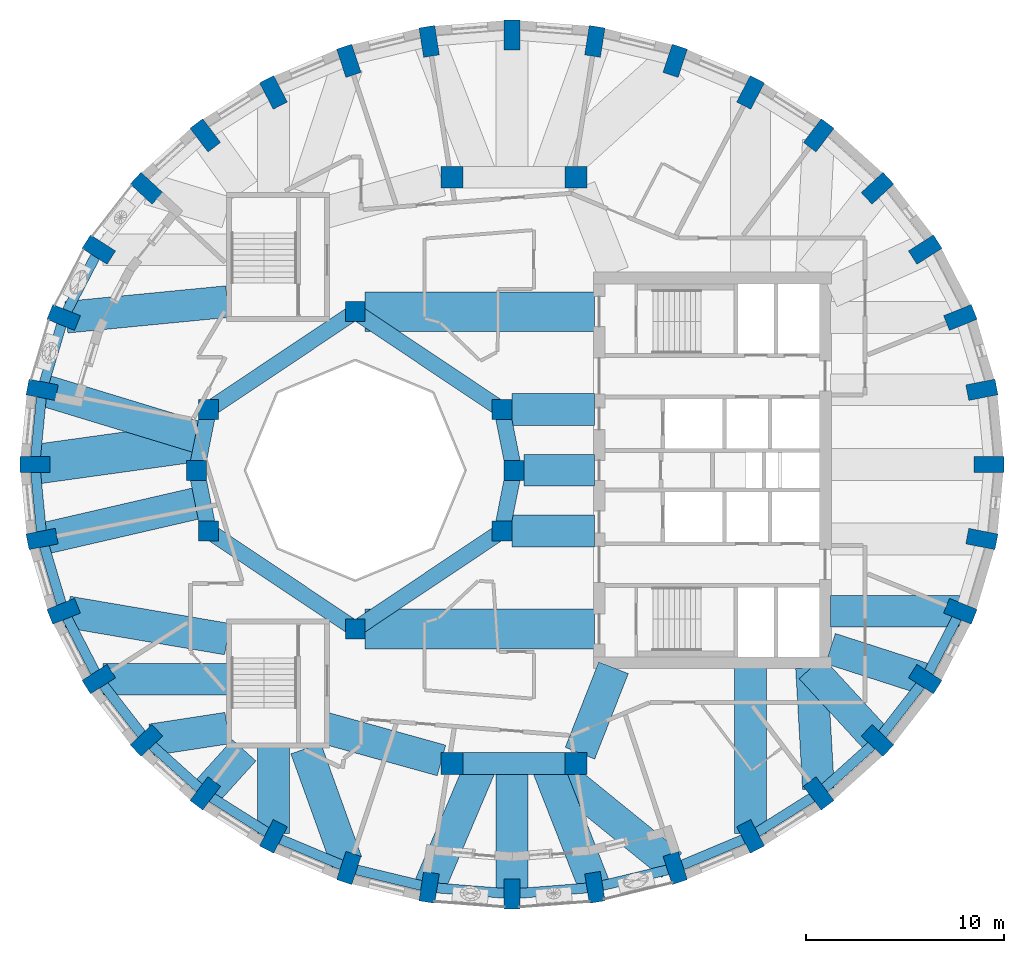
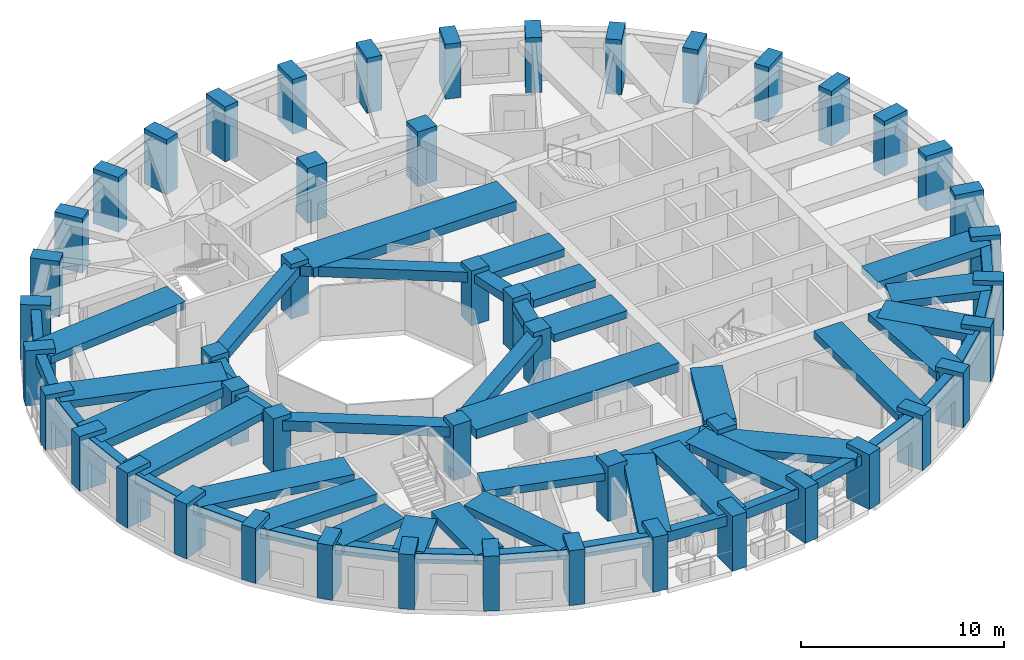
# One storey, part 1 of 12: 54 beams, 48 columns.
"""IFC4 building model written with IfcOpenShell, lengths in metres."""

from ifc_helpers import new_model, si_unit, direction, frame, origin, origin_2d, place, context, subcontext, project, spatial, rectangle, extrude, material, material_profile, profile_set, type_object, element, save


model = new_model("IFC4")

# Units and contexts
model_context = context("Model", 3, precision=1e-05, world=origin(), true_north=direction((0.0, 1.0)))
body_context = subcontext(model_context, "Body", "Model", "MODEL_VIEW")
ifc_project = project(units=[si_unit("LENGTHUNIT", "METRE"), si_unit("AREAUNIT", "SQUARE_METRE"), si_unit("VOLUMEUNIT", "CUBIC_METRE"), si_unit("PLANEANGLEUNIT", "RADIAN"), si_unit("MASSUNIT", "GRAM", prefix="KILO")], contexts=[model_context])

# Site, building, storey
site_placement = place(None, origin())
site = spatial("IfcSite", under=ifc_project, at=site_placement, CompositionType="ELEMENT")
building_placement = place(site_placement, origin())
building = spatial("IfcBuilding", under=site, at=building_placement, Name="Taillehof Tower", CompositionType="ELEMENT")
storey_placement = place(building_placement, frame((0.0, 0.0, 243.199951171875)))
storey = spatial("IfcBuildingStorey", under=building, at=storey_placement, Name="L69", CompositionType="ELEMENT", Elevation=243.199951171875)

# Columns
ifc_material_1 = material(Name="Concrete C50/60", Category="concrete")
ifc_material_profile_1 = material_profile(ifc_material_1, rectangle(XDim=1.0, YDim=1.0, at=origin_2d()), Name="RC 1000x1000")
ifc_profile_set_1 = profile_set([ifc_material_profile_1], Name="Concrete C50/60")
column_type_1 = type_object("IfcColumnType", Name="Atrium ring column C50/60 1000x1000", PredefinedType="COLUMN", material=ifc_profile_set_1)
for number, where, z_axis, x_axis, name in (
    (1, (0.0, 0.0, 0.0), (0.0, 0.0, 1.0), (1.0, 0.0, 0.0), "Column AC01"),
    (2, (-0.60888671875, 3.0615234375, 0.0), (0.0, 0.0, 1.0), (1.0, 0.0, 0.0), "Column AC02"),
    (3, (-8.0, 8.0, 0.0), (0.0, 0.0, 1.0), (1.0, 0.0, 0.0), "Column AC05"),
    (4, (-15.39111328125, 3.0615234375, 0.0), (0.0, 0.0, 1.0), (1.0, 0.0, 0.0), "Column AC08"),
    (5, (-16.0, 0.0, 0.0), (0.0, 0.0, 1.0), (1.0, 0.0, 0.0), "Column AC09"),
    (6, (-15.39111328125, -3.0615234375, 0.0), (0.0, 0.0, 1.0), (1.0, 0.0, 0.0), "Column AC10"),
    (7, (-8.0, -8.0, 0.0), (0.0, 0.0, 1.0), (1.0, 0.0, 0.0), "Column AC13"),
    (8, (-0.60888671875, -3.0615234375, 0.0), (0.0, 0.0, 1.0), (1.0, 0.0, 0.0), "Column AC16"),
):
    element("IfcColumn", number, at=place(storey_placement, frame(where, z_axis=z_axis, x_axis=x_axis)), inside=storey, type_object=column_type_1, Name=name, PredefinedType="COLUMN", context=body_context, shape_type="SweptSolid", body=[
        extrude(rectangle(XDim=1.0, YDim=1.0, at=origin_2d()), origin(), (0.0, 0.0, 1.0), 3.300048828125),
    ])
ifc_material_2 = material(Name="Concrete C50/60", Category="concrete")
ifc_material_profile_2 = material_profile(ifc_material_2, rectangle(XDim=1.10009765625, YDim=1.10009765625, at=origin_2d()), Name="RC 1100x1100")
ifc_profile_set_2 = profile_set([ifc_material_profile_2], Name="Concrete C50/60")
column_type_2 = type_object("IfcColumnType", Name="Mid-ring column C50/60 1100x1100", PredefinedType="COLUMN", material=ifc_profile_set_2)
for number, where, z_axis, x_axis, name in (
    (9, (3.125732421875, 14.772216796875, 0.0), (0.0, 0.0, 1.0), (1.0, 0.0, 0.0), "Column MC05"),
    (10, (-3.125732421875, 14.772216796875, 0.0), (0.0, 0.0, 1.0), (1.0, 0.0, 0.0), "Column MC06"),
    (11, (-3.125732421875, -14.772216796875, 0.0), (0.0, 0.0, 1.0), (1.0, 0.0, 0.0), "Column MC14"),
    (12, (3.125732421875, -14.772216796875, 0.0), (0.0, 0.0, 1.0), (1.0, 0.0, 0.0), "Column MC15"),
):
    element("IfcColumn", number, at=place(storey_placement, frame(where, z_axis=z_axis, x_axis=x_axis)), inside=storey, type_object=column_type_2, Name=name, PredefinedType="COLUMN", context=body_context, shape_type="SweptSolid", body=[
        extrude(rectangle(XDim=1.10009765625, YDim=1.10009765625, at=origin_2d()), origin(), (0.0, 0.0, 1.0), 3.300048828125),
    ])
ifc_material_3 = material(Name="Concrete C50/60", Category="concrete")
ifc_material_profile_3 = material_profile(ifc_material_3, rectangle(XDim=1.5, YDim=0.800048828125, at=origin_2d()), Name="RC 1500x800")
ifc_profile_set_3 = profile_set([ifc_material_profile_3], Name="Concrete C50/60")
column_type_3 = type_object("IfcColumnType", Name="Ring column C50/60 1500x800", PredefinedType="COLUMN", material=ifc_profile_set_3)
for number, where, z_axis, x_axis, name in (
    (13, (23.949951171875, 0.300048828125, 0.0), (0.0, 0.0, 1.0), (1.0, 0.0, 0.0), "Ring column RC01"),
    (14, (23.584716796875, 4.0595703125, 0.0), (0.0, 0.0, 1.0), (0.981472639166, 0.191602344891, 0.0), "Ring column RC02"),
    (15, (22.49951171875, 7.704833984375, 0.0), (0.0, 0.0, 1.0), (0.927524694272, 0.373761878092, 0.0), "Ring column RC03"),
    (16, (20.72802734375, 11.125, 0.0), (0.0, 0.0, 1.0), (0.842573772535, 0.538580948267, 0.0), "Ring column RC04"),
    (17, (18.323486328125, 14.21630859375, 0.0), (0.0, 0.0, 1.0), (0.73263579998, 0.680620881686, 0.0), "Ring column RC05"),
    (18, (15.359130859375, 16.884765625, 0.0), (0.0, 0.0, 1.0), (0.604020073066, 0.796969103123, 0.0), "Ring column RC06"),
    (19, (11.925048828125, 19.049560546875, 0.0), (0.0, 0.0, 1.0), (0.462383690865, 0.886679943622, 0.0), "Ring column RC07"),
    (20, (8.12548828125, 20.644287109375, 0.0), (0.0, 0.0, 1.0), (0.312304079287, 0.949982190391, 0.0), "Ring column RC08"),
    (21, (4.076171875, 21.62109375, 0.0), (0.0, 0.0, 1.0), (0.1572808136, 0.987553920388, 0.0), "Ring column RC09"),
    (22, (-0.10009765625, 21.949951171875, 0.0), (0.0, 0.0, 1.0), (0.0, 1.0, 0.0), "Ring column RC10"),
    (23, (-4.276123046875, 21.62109375, 0.0), (0.0, 0.0, 1.0), (-0.1572808136, 0.987553920388, 0.0), "Ring column RC11"),
    (24, (-8.32568359375, 20.644287109375, 0.0), (0.0, 0.0, 1.0), (-0.312304079287, 0.949982190391, 0.0), "Ring column RC12"),
    (25, (-12.125, 19.049560546875, 0.0), (0.0, 0.0, 1.0), (-0.462383690865, 0.886679943622, 0.0), "Ring column RC13"),
    (26, (-15.55908203125, 16.884765625, 0.0), (0.0, 0.0, 1.0), (-0.604020073066, 0.796969103123, 0.0), "Ring column RC14"),
    (27, (-18.5234375, 14.21630859375, 0.0), (0.0, 0.0, 1.0), (-0.73263579998, 0.680620881686, 0.0), "Ring column RC15"),
    (28, (-20.927978515625, 11.125, 0.0), (0.0, 0.0, 1.0), (-0.842573772535, 0.538580948267, 0.0), "Ring column RC16"),
    (29, (-22.69970703125, 7.704833984375, 0.0), (0.0, 0.0, 1.0), (-0.927524694272, 0.373761878092, 0.0), "Ring column RC17"),
    (30, (-23.78466796875, 4.0595703125, 0.0), (0.0, 0.0, 1.0), (-0.981472639166, 0.191602344891, 0.0), "Ring column RC18"),
    (31, (-24.14990234375, 0.300048828125, 0.0), (0.0, 0.0, 1.0), (-1.0, 0.0, 0.0), "Ring column RC19"),
    (32, (-23.78466796875, -3.45947265625, 0.0), (0.0, 0.0, 1.0), (-0.981472639166, -0.191602344891, 0.0), "Ring column RC20"),
    (33, (-22.69970703125, -7.104736328125, 0.0), (0.0, 0.0, 1.0), (-0.927524694272, -0.373761878092, 0.0), "Ring column RC21"),
    (34, (-20.927978515625, -10.52490234375, 0.0), (0.0, 0.0, 1.0), (-0.842573772535, -0.538580948267, 0.0), "Ring column RC22"),
    (35, (-18.5234375, -13.616455078125, 0.0), (0.0, 0.0, 1.0), (-0.73263579998, -0.680620881686, 0.0), "Ring column RC23"),
    (36, (-15.55908203125, -16.284912109375, 0.0), (0.0, 0.0, 1.0), (-0.604020073066, -0.796969103123, 0.0), "Ring column RC24"),
    (37, (-12.125, -18.449462890625, 0.0), (0.0, 0.0, 1.0), (-0.462383690865, -0.886679943622, 0.0), "Ring column RC25"),
    (38, (-8.32568359375, -20.04443359375, 0.0), (0.0, 0.0, 1.0), (-0.312304079287, -0.949982190391, 0.0), "Ring column RC26"),
    (39, (-4.276123046875, -21.02099609375, 0.0), (0.0, 0.0, 1.0), (-0.1572808136, -0.987553920388, 0.0), "Ring column RC27"),
    (40, (-0.10009765625, -21.35009765625, 0.0), (0.0, 0.0, 1.0), (0.0, -1.0, 0.0), "Ring column RC28"),
    (41, (4.076171875, -21.02099609375, 0.0), (0.0, 0.0, 1.0), (0.1572808136, -0.987553920388, 0.0), "Ring column RC29"),
    (42, (8.12548828125, -20.04443359375, 0.0), (0.0, 0.0, 1.0), (0.312304079287, -0.949982190391, 0.0), "Ring column RC30"),
    (43, (11.925048828125, -18.449462890625, 0.0), (0.0, 0.0, 1.0), (0.462383690865, -0.886679943622, 0.0), "Ring column RC31"),
    (44, (15.359130859375, -16.284912109375, 0.0), (0.0, 0.0, 1.0), (0.604020073066, -0.796969103123, 0.0), "Ring column RC32"),
    (45, (18.323486328125, -13.616455078125, 0.0), (0.0, 0.0, 1.0), (0.73263579998, -0.680620881686, 0.0), "Ring column RC33"),
    (46, (20.72802734375, -10.52490234375, 0.0), (0.0, 0.0, 1.0), (0.842573772535, -0.538580948267, 0.0), "Ring column RC34"),
    (47, (22.49951171875, -7.104736328125, 0.0), (0.0, 0.0, 1.0), (0.927524694272, -0.373761878092, 0.0), "Ring column RC35"),
    (48, (23.584716796875, -3.45947265625, 0.0), (0.0, 0.0, 1.0), (0.981472639166, -0.191602344891, 0.0), "Ring column RC36"),
):
    element("IfcColumn", number, at=place(storey_placement, frame(where, z_axis=z_axis, x_axis=x_axis)), inside=storey, type_object=column_type_3, Name=name, PredefinedType="COLUMN", context=body_context, shape_type="SweptSolid", body=[
        extrude(rectangle(XDim=1.5, YDim=0.800048828125, at=origin_2d()), origin(), (0.0, 0.0, 1.0), 3.300048828125),
    ])

# Beams
ifc_material_4 = material(Name="Concrete C50/60", Category="concrete")
ifc_material_profile_4 = material_profile(ifc_material_4, rectangle(XDim=0.800048828125, YDim=0.5, at=origin_2d()), Name="RC 800x500")
ifc_profile_set_4 = profile_set([ifc_material_profile_4], Name="Concrete C50/60")
beam_type_1 = type_object("IfcBeamType", Name="Atrium ring beam C50/60 800x500", PredefinedType="BEAM", material=ifc_profile_set_4)
for number, where, z_axis, x_axis, name in (
    (49, (0.0, 0.0, 2.77001953125), (-0.195063155143, 0.980790683839, 0.0), (-0.980790683839, -0.195063155143, 0.0), "Atrium ring beam AB01"),
    (50, (-15.39111328125, 3.0615234375, 2.77001953125), (-0.195063155143, -0.980790683839, 0.0), (0.980790683839, -0.195063155143, 0.0), "Atrium ring beam AB04"),
    (51, (-16.0, 0.0, 2.77001953125), (0.195063155143, -0.980790683839, 0.0), (0.980790683839, 0.195063155143, 0.0), "Atrium ring beam AB05"),
    (52, (-0.60888671875, -3.0615234375, 2.77001953125), (0.195063155143, 0.980790683839, 0.0), (-0.980790683839, 0.195063155143, 0.0), "Atrium ring beam AB08"),
):
    element("IfcBeam", number, at=place(storey_placement, frame(where, z_axis=z_axis, x_axis=x_axis)), inside=storey, type_object=beam_type_1, Name=name, PredefinedType="BEAM", context=body_context, shape_type="SweptSolid", body=[
        extrude(rectangle(XDim=0.800048828125, YDim=0.5, at=origin_2d()), origin(), (0.0, 0.0, 1.0), 3.12158203125),
    ])
ifc_material_5 = material(Name="Concrete C50/60", Category="concrete")
ifc_material_profile_5 = material_profile(ifc_material_5, rectangle(XDim=0.800048828125, YDim=0.60009765625, at=origin_2d()), Name="RC 800x600")
ifc_profile_set_5 = profile_set([ifc_material_profile_5], Name="Concrete C50/60")
beam_type_2 = type_object("IfcBeamType", Name="Atrium ring beam C50/60 800x600", PredefinedType="BEAM", material=ifc_profile_set_5)
for number, where, z_axis, x_axis, name in (
    (53, (-0.60888671875, 3.0615234375, 2.719970703125), (-0.831475195687, 0.555561876804, 0.0), (-0.555561876804, -0.831475195687, 0.0), "Atrium ring beam AB02"),
    (54, (-8.0, 8.0, 2.719970703125), (-0.831475195687, -0.555561876804, 0.0), (0.555561876804, -0.831475195687, 0.0), "Atrium ring beam AB03"),
    (55, (-15.39111328125, -3.0615234375, 2.719970703125), (0.831475195687, -0.555561876804, 0.0), (0.555561876804, 0.831475195687, 0.0), "Atrium ring beam AB06"),
    (56, (-8.0, -8.0, 2.719970703125), (0.831475195687, 0.555561876804, 0.0), (-0.555561876804, 0.831475195687, 0.0), "Atrium ring beam AB07"),
):
    element("IfcBeam", number, at=place(storey_placement, frame(where, z_axis=z_axis, x_axis=x_axis)), inside=storey, type_object=beam_type_2, Name=name, PredefinedType="BEAM", context=body_context, shape_type="SweptSolid", body=[
        extrude(rectangle(XDim=0.800048828125, YDim=0.60009765625, at=origin_2d()), origin(), (0.0, 0.0, 1.0), 8.88916015625),
    ])
ifc_material_6 = material(Name="Concrete C50/60", Category="concrete")
ifc_material_profile_6 = material_profile(ifc_material_6, rectangle(XDim=1.10009765625, YDim=0.60009765625, at=origin_2d()), Name="RC 1100x600")
ifc_profile_set_6 = profile_set([ifc_material_profile_6], Name="Concrete C50/60")
beam_type_3 = type_object("IfcBeamType", Name="Mid-ring beam C50/60 1100x600", PredefinedType="BEAM", material=ifc_profile_set_6)
beam_1_placement = place(storey_placement, frame((-3.125732421875, -14.772216796875, 2.719970703125), z_axis=(1.0, 0.0, 0.0), x_axis=(0.0, 1.0, 0.0)))
element("IfcBeam", 57, at=beam_1_placement, inside=storey, type_object=beam_type_3, Name="Mid-ring beam MB02", PredefinedType="BEAM", context=body_context, shape_type="SweptSolid", body=[
    extrude(rectangle(XDim=1.10009765625, YDim=0.60009765625, at=origin_2d()), origin(), (0.0, 0.0, 1.0), 6.25146484375),
])
ifc_material_7 = material(Name="Concrete C50/60", Category="concrete")
ifc_material_profile_7 = material_profile(ifc_material_7, rectangle(XDim=1.60009765625, YDim=0.449951171875, at=origin_2d()), Name="RC 1600x450")
ifc_profile_set_7 = profile_set([ifc_material_profile_7], Name="Concrete C50/60")
beam_type_4 = type_object("IfcBeamType", Name="Radial band beam C50/60 1600x450", PredefinedType="BEAM", material=ifc_profile_set_7)
beam_2_placement = place(storey_placement, frame((-22.564697265625, 7.7177734375, 2.795166015625), z_axis=(0.995328408647, 0.096547185049, 0.0), x_axis=(-0.096547185049, 0.995328408647, 0.0)))
element("IfcBeam", 58, at=beam_2_placement, inside=storey, type_object=beam_type_4, Name="Radial band beam RB17", PredefinedType="BEAM", context=body_context, shape_type="SweptSolid", body=[
    extrude(rectangle(XDim=1.60009765625, YDim=0.449951171875, at=origin_2d()), origin(), (0.0, 0.0, 1.0), 8.152587890625),
])
beam_3_placement = place(storey_placement, frame((-23.78466796875, 4.0595703125, 2.795166015625), z_axis=(0.956552302924, -0.291560785721, 0.0), x_axis=(0.291560785721, 0.956552302924, 0.0)))
element("IfcBeam", 59, at=beam_3_placement, inside=storey, type_object=beam_type_4, Name="Radial band beam RB18", PredefinedType="BEAM", context=body_context, shape_type="SweptSolid", body=[
    extrude(rectangle(XDim=1.60009765625, YDim=0.449951171875, at=origin_2d()), origin(), (0.0, 0.0, 1.0), 8.468994140625),
])
beam_4_placement = place(storey_placement, frame((-23.78466796875, -3.45947265625, 2.795166015625), z_axis=(0.974400103511, 0.224820902672, 0.0), x_axis=(-0.224820902672, 0.974400103511, 0.0)))
element("IfcBeam", 60, at=beam_4_placement, inside=storey, type_object=beam_type_4, Name="Radial band beam RB20", PredefinedType="BEAM", context=body_context, shape_type="SweptSolid", body=[
    extrude(rectangle(XDim=1.60009765625, YDim=0.449951171875, at=origin_2d()), origin(), (0.0, 0.0, 1.0), 8.31396484375),
])
beam_5_placement = place(storey_placement, frame((-22.502685546875, -7.13818359375, 2.795166015625), z_axis=(0.985830005482, -0.167747430059, 0.0), x_axis=(0.167747430059, 0.985830005482, 0.0)))
element("IfcBeam", 61, at=beam_5_placement, inside=storey, type_object=beam_type_4, Name="Radial band beam RB21", PredefinedType="BEAM", context=body_context, shape_type="SweptSolid", body=[
    extrude(rectangle(XDim=1.60009765625, YDim=0.449951171875, at=origin_2d()), origin(), (0.0, 0.0, 1.0), 8.167724609375),
])
beam_6_placement = place(storey_placement, frame((-20.7119140625, -10.52490234375, 2.795166015625), z_axis=(1.0, 0.0, 0.0), x_axis=(0.0, 1.0, 0.0)))
element("IfcBeam", 62, at=beam_6_placement, inside=storey, type_object=beam_type_4, Name="Radial band beam RB22", PredefinedType="BEAM", context=body_context, shape_type="SweptSolid", body=[
    extrude(rectangle(XDim=1.60009765625, YDim=0.449951171875, at=origin_2d()), origin(), (0.0, 0.0, 1.0), 6.261962890625),
])
beam_7_placement = place(storey_placement, frame((-18.283447265625, -13.57958984375, 2.795166015625), z_axis=(0.988468308682, 0.151427879634, 0.0), x_axis=(-0.151427879634, 0.988468308682, 0.0)))
element("IfcBeam", 63, at=beam_7_placement, inside=storey, type_object=beam_type_4, Name="Radial band beam RB23", PredefinedType="BEAM", context=body_context, shape_type="SweptSolid", body=[
    extrude(rectangle(XDim=1.60009765625, YDim=0.449951171875, at=origin_2d()), origin(), (0.0, 0.0, 1.0), 3.87744140625),
])
beam_8_placement = place(storey_placement, frame((-15.55908203125, -16.284912109375, 2.795166015625), z_axis=(0.669439419649, 0.742866652516, 0.0), x_axis=(-0.742866652516, 0.669439419649, 0.0)))
element("IfcBeam", 64, at=beam_8_placement, inside=storey, type_object=beam_type_4, Name="Radial band beam RB24", PredefinedType="BEAM", context=body_context, shape_type="SweptSolid", body=[
    extrude(rectangle(XDim=1.60009765625, YDim=0.449951171875, at=origin_2d()), origin(), (0.0, 0.0, 1.0), 2.926025390625),
])
beam_9_placement = place(storey_placement, frame((-12.125, -18.3154296875, 2.795166015625), z_axis=(0.0, 1.0, 0.0), x_axis=(-1.0, 0.0, 0.0)))
element("IfcBeam", 65, at=beam_9_placement, inside=storey, type_object=beam_type_4, Name="Radial band beam RB25", PredefinedType="BEAM", context=body_context, shape_type="SweptSolid", body=[
    extrude(rectangle(XDim=1.60009765625, YDim=0.449951171875, at=origin_2d()), origin(), (0.0, 0.0, 1.0), 4.365478515625),
])
beam_10_placement = place(storey_placement, frame((-8.42919921875, -19.755859375, 2.795166015625), z_axis=(-0.338515207556, 0.940960920683, 0.0), x_axis=(-0.940960920683, -0.338515207556, 0.0)))
element("IfcBeam", 66, at=beam_10_placement, inside=storey, type_object=beam_type_4, Name="Radial band beam RB26", PredefinedType="BEAM", context=body_context, shape_type="SweptSolid", body=[
    extrude(rectangle(XDim=1.60009765625, YDim=0.449951171875, at=origin_2d()), origin(), (0.0, 0.0, 1.0), 6.094970703125),
])
beam_11_placement = place(storey_placement, frame((-4.276123046875, -21.02099609375, 2.795166015625), z_axis=(0.390474101739, 0.920613912491, 0.0), x_axis=(-0.920613912491, 0.390474101739, 0.0)))
element("IfcBeam", 67, at=beam_11_placement, inside=storey, type_object=beam_type_4, Name="Radial band beam RB27", PredefinedType="BEAM", context=body_context, shape_type="SweptSolid", body=[
    extrude(rectangle(XDim=1.60009765625, YDim=0.449951171875, at=origin_2d()), origin(), (0.0, 0.0, 1.0), 6.78759765625),
])
beam_12_placement = place(storey_placement, frame((-0.10009765625, -21.35009765625, 2.795166015625), z_axis=(0.0, 1.0, 0.0), x_axis=(-1.0, 0.0, 0.0)))
element("IfcBeam", 68, at=beam_12_placement, inside=storey, type_object=beam_type_4, Name="Radial band beam RB28", PredefinedType="BEAM", context=body_context, shape_type="SweptSolid", body=[
    extrude(rectangle(XDim=1.60009765625, YDim=0.449951171875, at=origin_2d()), origin(), (0.0, 0.0, 1.0), 6.577880859375),
])
beam_13_placement = place(storey_placement, frame((4.076171875, -21.02099609375, 2.795166015625), z_axis=(-0.365079492969, 0.93097634976, 0.0), x_axis=(-0.93097634976, -0.365079492969, 0.0)))
element("IfcBeam", 69, at=beam_13_placement, inside=storey, type_object=beam_type_4, Name="Radial band beam RB29", PredefinedType="BEAM", context=body_context, shape_type="SweptSolid", body=[
    extrude(rectangle(XDim=1.60009765625, YDim=0.449951171875, at=origin_2d()), origin(), (0.0, 0.0, 1.0), 6.712158203125),
])
beam_14_placement = place(storey_placement, frame((7.9560546875, -19.90673828125, 2.795166015625), z_axis=(-0.776646099525, 0.629937168369, 0.0), x_axis=(-0.629937168369, -0.776646099525, 0.0)))
element("IfcBeam", 70, at=beam_14_placement, inside=storey, type_object=beam_type_4, Name="Radial band beam RB30", PredefinedType="BEAM", context=body_context, shape_type="SweptSolid", body=[
    extrude(rectangle(XDim=1.60009765625, YDim=0.449951171875, at=origin_2d()), origin(), (0.0, 0.0, 1.0), 8.03759765625),
])
beam_15_placement = place(storey_placement, frame((11.925048828125, -18.3154296875, 2.795166015625), z_axis=(0.0, 1.0, 0.0), x_axis=(-1.0, 0.0, 0.0)))
element("IfcBeam", 71, at=beam_15_placement, inside=storey, type_object=beam_type_4, Name="Radial band beam RB31", PredefinedType="BEAM", context=body_context, shape_type="SweptSolid", body=[
    extrude(rectangle(XDim=1.60009765625, YDim=0.449951171875, at=origin_2d()), origin(), (0.0, 0.0, 1.0), 8.365478515625),
])
beam_16_placement = place(storey_placement, frame((15.345703125, -16.050537109375, 2.795166015625), z_axis=(-0.057056617778, 0.998370944273, 0.0), x_axis=(-0.998370944273, -0.057056617778, 0.0)))
element("IfcBeam", 72, at=beam_16_placement, inside=storey, type_object=beam_type_4, Name="Radial band beam RB32", PredefinedType="BEAM", context=body_context, shape_type="SweptSolid", body=[
    extrude(rectangle(XDim=1.60009765625, YDim=0.449951171875, at=origin_2d()), origin(), (0.0, 0.0, 1.0), 6.1103515625),
])
beam_17_placement = place(storey_placement, frame((18.323486328125, -13.616455078125, 2.795166015625), z_axis=(-0.676659897365, 0.736295717289, 0.0), x_axis=(-0.736295717289, -0.676659897365, 0.0)))
element("IfcBeam", 73, at=beam_17_placement, inside=storey, type_object=beam_type_4, Name="Radial band beam RB33", PredefinedType="BEAM", context=body_context, shape_type="SweptSolid", body=[
    extrude(rectangle(XDim=1.60009765625, YDim=0.449951171875, at=origin_2d()), origin(), (0.0, 0.0, 1.0), 4.961669921875),
])
beam_18_placement = place(storey_placement, frame((20.72802734375, -10.52490234375, 2.795166015625), z_axis=(-0.951722832358, 0.306958711178, 0.0), x_axis=(-0.306958711178, -0.951722832358, 0.0)))
element("IfcBeam", 74, at=beam_18_placement, inside=storey, type_object=beam_type_4, Name="Radial band beam RB34", PredefinedType="BEAM", context=body_context, shape_type="SweptSolid", body=[
    extrude(rectangle(XDim=1.60009765625, YDim=0.449951171875, at=origin_2d()), origin(), (0.0, 0.0, 1.0), 5.017822265625),
])
beam_19_placement = place(storey_placement, frame((22.44580078125, -7.104736328125, 2.795166015625), z_axis=(-1.0, 0.0, 0.0), x_axis=(0.0, -1.0, 0.0)))
element("IfcBeam", 75, at=beam_19_placement, inside=storey, type_object=beam_type_4, Name="Radial band beam RB35", PredefinedType="BEAM", context=body_context, shape_type="SweptSolid", body=[
    extrude(rectangle(XDim=1.60009765625, YDim=0.449951171875, at=origin_2d()), origin(), (0.0, 0.0, 1.0), 6.495849609375),
])
beam_20_placement = place(storey_placement, frame((0.5, 0.0, 2.795166015625), z_axis=(1.0, 0.0, 0.0), x_axis=(0.0, 1.0, 0.0)))
element("IfcBeam", 76, at=beam_20_placement, inside=storey, type_object=beam_type_4, Name="Inner band beam IB101", PredefinedType="BEAM", context=body_context, shape_type="SweptSolid", body=[
    extrude(rectangle(XDim=1.60009765625, YDim=0.449951171875, at=origin_2d()), origin(), (0.0, 0.0, 1.0), 3.550048828125),
])
for number, where, z_axis, x_axis, name in (
    (77, (-0.10888671875, 3.0615234375, 2.795166015625), (1.0, 0.0, 0.0), (0.0, 1.0, 0.0), "Inner band beam IB102"),
    (78, (-0.10888671875, -3.0615234375, 2.795166015625), (1.0, 0.0, 0.0), (0.0, 1.0, 0.0), "Inner band beam IB116"),
):
    element("IfcBeam", number, at=place(storey_placement, frame(where, z_axis=z_axis, x_axis=x_axis)), inside=storey, type_object=beam_type_4, Name=name, PredefinedType="BEAM", context=body_context, shape_type="SweptSolid", body=[
        extrude(rectangle(XDim=1.60009765625, YDim=0.449951171875, at=origin_2d()), origin(), (0.0, 0.0, 1.0), 4.158935546875),
    ])
beam_21_placement = place(storey_placement, frame((-3.655517578125, -14.624755859375, 2.795166015625), z_axis=(-0.963459369536, 0.267854518821, 0.0), x_axis=(-0.267854518821, -0.963459369536, 0.0)))
element("IfcBeam", 79, at=beam_21_placement, inside=storey, type_object=beam_type_4, Name="Inner band beam IB214", PredefinedType="BEAM", context=body_context, shape_type="SweptSolid", body=[
    extrude(rectangle(XDim=1.60009765625, YDim=0.449951171875, at=origin_2d()), origin(), (0.0, 0.0, 1.0), 6.096923828125),
])
beam_22_placement = place(storey_placement, frame((3.32666015625, -14.26025390625, 2.795166015625), z_axis=(0.365588707223, 0.930776502255, 0.0), x_axis=(-0.930776502255, 0.365588707223, 0.0)))
element("IfcBeam", 80, at=beam_22_placement, inside=storey, type_object=beam_type_4, Name="Inner band beam IB215", PredefinedType="BEAM", context=body_context, shape_type="SweptSolid", body=[
    extrude(rectangle(XDim=1.60009765625, YDim=0.449951171875, at=origin_2d()), origin(), (0.0, 0.0, 1.0), 4.627197265625),
])
ifc_material_8 = material(Name="Concrete C50/60", Category="concrete")
ifc_material_profile_8 = material_profile(ifc_material_8, rectangle(XDim=2.0, YDim=0.550048828125, at=origin_2d()), Name="RC 2000x550")
ifc_profile_set_8 = profile_set([ifc_material_profile_8], Name="Concrete C50/60")
beam_type_5 = type_object("IfcBeamType", Name="Radial band beam C50/60 2000x550", PredefinedType="BEAM", material=ifc_profile_set_8)
beam_23_placement = place(storey_placement, frame((-24.14990234375, 0.300048828125, 2.7451171875), z_axis=(0.990515351696, 0.137402103528, 0.0), x_axis=(-0.137402103528, 0.990515351696, 0.0)))
element("IfcBeam", 81, at=beam_23_placement, inside=storey, type_object=beam_type_5, Name="Radial band beam RB19", PredefinedType="BEAM", context=body_context, shape_type="SweptSolid", body=[
    extrude(rectangle(XDim=2.0, YDim=0.550048828125, at=origin_2d()), origin(), (0.0, 0.0, 1.0), 8.5234375),
])
for number, where, z_axis, x_axis, name in (
    (82, (-7.5, 8.0, 2.7451171875), (1.0, 0.0, 0.0), (0.0, 1.0, 0.0), "Inner band beam IB105"),
    (83, (-7.5, -8.0, 2.7451171875), (1.0, 0.0, 0.0), (0.0, 1.0, 0.0), "Inner band beam IB113"),
):
    element("IfcBeam", number, at=place(storey_placement, frame(where, z_axis=z_axis, x_axis=x_axis)), inside=storey, type_object=beam_type_5, Name=name, PredefinedType="BEAM", context=body_context, shape_type="SweptSolid", body=[
        extrude(rectangle(XDim=2.0, YDim=0.550048828125, at=origin_2d()), origin(), (0.0, 0.0, 1.0), 11.550048828125),
    ])
ifc_material_9 = material(Name="Concrete C50/60", Category="concrete")
ifc_material_profile_9 = material_profile(ifc_material_9, rectangle(XDim=0.5, YDim=0.60009765625, at=origin_2d()), Name="RC 500x600")
ifc_profile_set_9 = profile_set([ifc_material_profile_9], Name="Concrete C50/60")
beam_type_6 = type_object("IfcBeamType", Name="Spandrel beam C50/60 500x600", PredefinedType="SPANDREL", material=ifc_profile_set_9)
beam_24_placement = place(storey_placement, frame((-20.927978515625, 11.125, 2.719970703125), z_axis=(-0.459971160554, -0.88793385534, 0.0), x_axis=(0.88793385534, -0.459971160554, 0.0)))
element("IfcBeam", 84, at=beam_24_placement, inside=storey, type_object=beam_type_6, Name="Spandrel beam SB16", PredefinedType="SPANDREL", context=body_context, shape_type="SweptSolid", body=[
    extrude(rectangle(XDim=0.5, YDim=0.60009765625, at=origin_2d()), origin(), (0.0, 0.0, 1.0), 3.851806640625),
])
beam_25_placement = place(storey_placement, frame((-22.69970703125, 7.704833984375, 2.719970703125), z_axis=(-0.285268336874, -0.958447690788, 0.0), x_axis=(0.958447690788, -0.285268336874, 0.0)))
element("IfcBeam", 85, at=beam_25_placement, inside=storey, type_object=beam_type_6, Name="Spandrel beam SB17", PredefinedType="SPANDREL", context=body_context, shape_type="SweptSolid", body=[
    extrude(rectangle(XDim=0.5, YDim=0.60009765625, at=origin_2d()), origin(), (0.0, 0.0, 1.0), 3.80322265625),
])
for number, where, z_axis, x_axis, name in (
    (86, (-23.78466796875, 4.0595703125, 2.719970703125), (-0.096693940319, -0.995314162416, 0.0), (0.995314162416, -0.096693940319, 0.0), "Spandrel beam SB18"),
    (87, (-24.14990234375, 0.300048828125, 2.719970703125), (0.096693940319, -0.995314162416, 0.0), (0.995314162416, 0.096693940319, 0.0), "Spandrel beam SB19"),
):
    element("IfcBeam", number, at=place(storey_placement, frame(where, z_axis=z_axis, x_axis=x_axis)), inside=storey, type_object=beam_type_6, Name=name, PredefinedType="SPANDREL", context=body_context, shape_type="SweptSolid", body=[
        extrude(rectangle(XDim=0.5, YDim=0.60009765625, at=origin_2d()), origin(), (0.0, 0.0, 1.0), 3.777099609375),
    ])
beam_26_placement = place(storey_placement, frame((-23.78466796875, -3.45947265625, 2.719970703125), z_axis=(0.285268336874, -0.958447690788, 0.0), x_axis=(0.958447690788, 0.285268336874, 0.0)))
element("IfcBeam", 88, at=beam_26_placement, inside=storey, type_object=beam_type_6, Name="Spandrel beam SB20", PredefinedType="SPANDREL", context=body_context, shape_type="SweptSolid", body=[
    extrude(rectangle(XDim=0.5, YDim=0.60009765625, at=origin_2d()), origin(), (0.0, 0.0, 1.0), 3.80322265625),
])
beam_27_placement = place(storey_placement, frame((-22.69970703125, -7.104736328125, 2.719970703125), z_axis=(0.459971160554, -0.88793385534, 0.0), x_axis=(0.88793385534, 0.459971160554, 0.0)))
element("IfcBeam", 89, at=beam_27_placement, inside=storey, type_object=beam_type_6, Name="Spandrel beam SB21", PredefinedType="SPANDREL", context=body_context, shape_type="SweptSolid", body=[
    extrude(rectangle(XDim=0.5, YDim=0.60009765625, at=origin_2d()), origin(), (0.0, 0.0, 1.0), 3.851806640625),
])
beam_28_placement = place(storey_placement, frame((-20.927978515625, -10.52490234375, 2.719970703125), z_axis=(0.613940613515, -0.789352217376, 0.0), x_axis=(0.789352217376, 0.613940613515, 0.0)))
element("IfcBeam", 90, at=beam_28_placement, inside=storey, type_object=beam_type_6, Name="Spandrel beam SB22", PredefinedType="SPANDREL", context=body_context, shape_type="SweptSolid", body=[
    extrude(rectangle(XDim=0.5, YDim=0.60009765625, at=origin_2d()), origin(), (0.0, 0.0, 1.0), 3.91650390625),
])
beam_29_placement = place(storey_placement, frame((-18.5234375, -13.616455078125, 2.719970703125), z_axis=(0.743227182134, -0.669039128704, 0.0), x_axis=(0.669039128704, 0.743227182134, 0.0)))
element("IfcBeam", 91, at=beam_29_placement, inside=storey, type_object=beam_type_6, Name="Spandrel beam SB23", PredefinedType="SPANDREL", context=body_context, shape_type="SweptSolid", body=[
    extrude(rectangle(XDim=0.5, YDim=0.60009765625, at=origin_2d()), origin(), (0.0, 0.0, 1.0), 3.988525390625),
])
beam_30_placement = place(storey_placement, frame((-15.55908203125, -16.284912109375, 2.719970703125), z_axis=(0.845971606716, -0.533227944344, 0.0), x_axis=(0.533227944344, 0.845971606716, 0.0)))
element("IfcBeam", 92, at=beam_30_placement, inside=storey, type_object=beam_type_6, Name="Spandrel beam SB24", PredefinedType="SPANDREL", context=body_context, shape_type="SweptSolid", body=[
    extrude(rectangle(XDim=0.5, YDim=0.60009765625, at=origin_2d()), origin(), (0.0, 0.0, 1.0), 4.059326171875),
])
beam_31_placement = place(storey_placement, frame((-12.125, -18.449462890625, 2.719970703125), z_axis=(0.922046399446, -0.387079368178, 0.0), x_axis=(0.387079368178, 0.922046399446, 0.0)))
element("IfcBeam", 93, at=beam_31_placement, inside=storey, type_object=beam_type_6, Name="Spandrel beam SB25", PredefinedType="SPANDREL", context=body_context, shape_type="SweptSolid", body=[
    extrude(rectangle(XDim=0.5, YDim=0.60009765625, at=origin_2d()), origin(), (0.0, 0.0, 1.0), 4.12060546875),
])
beam_32_placement = place(storey_placement, frame((-8.32568359375, -20.04443359375, 2.719970703125), z_axis=(0.972132431202, -0.234432370218, 0.0), x_axis=(0.234432370218, 0.972132431202, 0.0)))
element("IfcBeam", 94, at=beam_32_placement, inside=storey, type_object=beam_type_6, Name="Spandrel beam SB26", PredefinedType="SPANDREL", context=body_context, shape_type="SweptSolid", body=[
    extrude(rectangle(XDim=0.5, YDim=0.60009765625, at=origin_2d()), origin(), (0.0, 0.0, 1.0), 4.16552734375),
])
beam_33_placement = place(storey_placement, frame((-4.276123046875, -21.02099609375, 2.719970703125), z_axis=(0.996909089392, -0.078563779743, 0.0), x_axis=(0.078563779743, 0.996909089392, 0.0)))
element("IfcBeam", 95, at=beam_33_placement, inside=storey, type_object=beam_type_6, Name="Spandrel beam SB27", PredefinedType="SPANDREL", context=body_context, shape_type="SweptSolid", body=[
    extrude(rectangle(XDim=0.5, YDim=0.60009765625, at=origin_2d()), origin(), (0.0, 0.0, 1.0), 4.18896484375),
])
beam_34_placement = place(storey_placement, frame((-0.10009765625, -21.35009765625, 2.719970703125), z_axis=(0.996909449091, 0.078559215326, 0.0), x_axis=(-0.078559215326, 0.996909449091, 0.0)))
element("IfcBeam", 96, at=beam_34_placement, inside=storey, type_object=beam_type_6, Name="Spandrel beam SB28", PredefinedType="SPANDREL", context=body_context, shape_type="SweptSolid", body=[
    extrude(rectangle(XDim=0.5, YDim=0.60009765625, at=origin_2d()), origin(), (0.0, 0.0, 1.0), 4.189208984375),
])
beam_35_placement = place(storey_placement, frame((4.076171875, -21.02099609375, 2.719970703125), z_axis=(0.972129209911, 0.234445727701, 0.0), x_axis=(-0.234445727701, 0.972129209911, 0.0)))
element("IfcBeam", 97, at=beam_35_placement, inside=storey, type_object=beam_type_6, Name="Spandrel beam SB29", PredefinedType="SPANDREL", context=body_context, shape_type="SweptSolid", body=[
    extrude(rectangle(XDim=0.5, YDim=0.60009765625, at=origin_2d()), origin(), (0.0, 0.0, 1.0), 4.16552734375),
])
beam_36_placement = place(storey_placement, frame((8.12548828125, -20.04443359375, 2.719970703125), z_axis=(0.922055276152, 0.38705822265, 0.0), x_axis=(-0.38705822265, 0.922055276152, 0.0)))
element("IfcBeam", 98, at=beam_36_placement, inside=storey, type_object=beam_type_6, Name="Spandrel beam SB30", PredefinedType="SPANDREL", context=body_context, shape_type="SweptSolid", body=[
    extrude(rectangle(XDim=0.5, YDim=0.60009765625, at=origin_2d()), origin(), (0.0, 0.0, 1.0), 4.120849609375),
])
beam_37_placement = place(storey_placement, frame((11.925048828125, -18.449462890625, 2.719970703125), z_axis=(0.845971606716, 0.533227944344, 0.0), x_axis=(-0.533227944344, 0.845971606716, 0.0)))
element("IfcBeam", 99, at=beam_37_placement, inside=storey, type_object=beam_type_6, Name="Spandrel beam SB31", PredefinedType="SPANDREL", context=body_context, shape_type="SweptSolid", body=[
    extrude(rectangle(XDim=0.5, YDim=0.60009765625, at=origin_2d()), origin(), (0.0, 0.0, 1.0), 4.059326171875),
])
beam_38_placement = place(storey_placement, frame((15.359130859375, -16.284912109375, 2.719970703125), z_axis=(0.743227182134, 0.669039128704, 0.0), x_axis=(-0.669039128704, 0.743227182134, 0.0)))
element("IfcBeam", 100, at=beam_38_placement, inside=storey, type_object=beam_type_6, Name="Spandrel beam SB32", PredefinedType="SPANDREL", context=body_context, shape_type="SweptSolid", body=[
    extrude(rectangle(XDim=0.5, YDim=0.60009765625, at=origin_2d()), origin(), (0.0, 0.0, 1.0), 3.988525390625),
])
beam_39_placement = place(storey_placement, frame((18.323486328125, -13.616455078125, 2.719970703125), z_axis=(0.613940613515, 0.789352217376, 0.0), x_axis=(-0.789352217376, 0.613940613515, 0.0)))
element("IfcBeam", 101, at=beam_39_placement, inside=storey, type_object=beam_type_6, Name="Spandrel beam SB33", PredefinedType="SPANDREL", context=body_context, shape_type="SweptSolid", body=[
    extrude(rectangle(XDim=0.5, YDim=0.60009765625, at=origin_2d()), origin(), (0.0, 0.0, 1.0), 3.91650390625),
])
beam_40_placement = place(storey_placement, frame((20.72802734375, -10.52490234375, 2.719970703125), z_axis=(0.45992118545, 0.887959741865, 0.0), x_axis=(-0.887959741865, 0.45992118545, 0.0)))
element("IfcBeam", 102, at=beam_40_placement, inside=storey, type_object=beam_type_6, Name="Spandrel beam SB34", PredefinedType="SPANDREL", context=body_context, shape_type="SweptSolid", body=[
    extrude(rectangle(XDim=0.5, YDim=0.60009765625, at=origin_2d()), origin(), (0.0, 0.0, 1.0), 3.851806640625),
])

save(model, "model.ifc")
